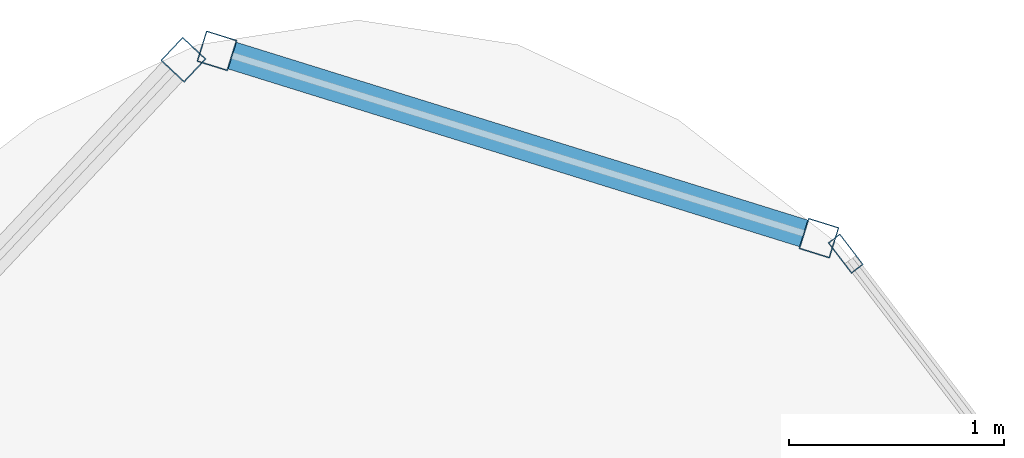
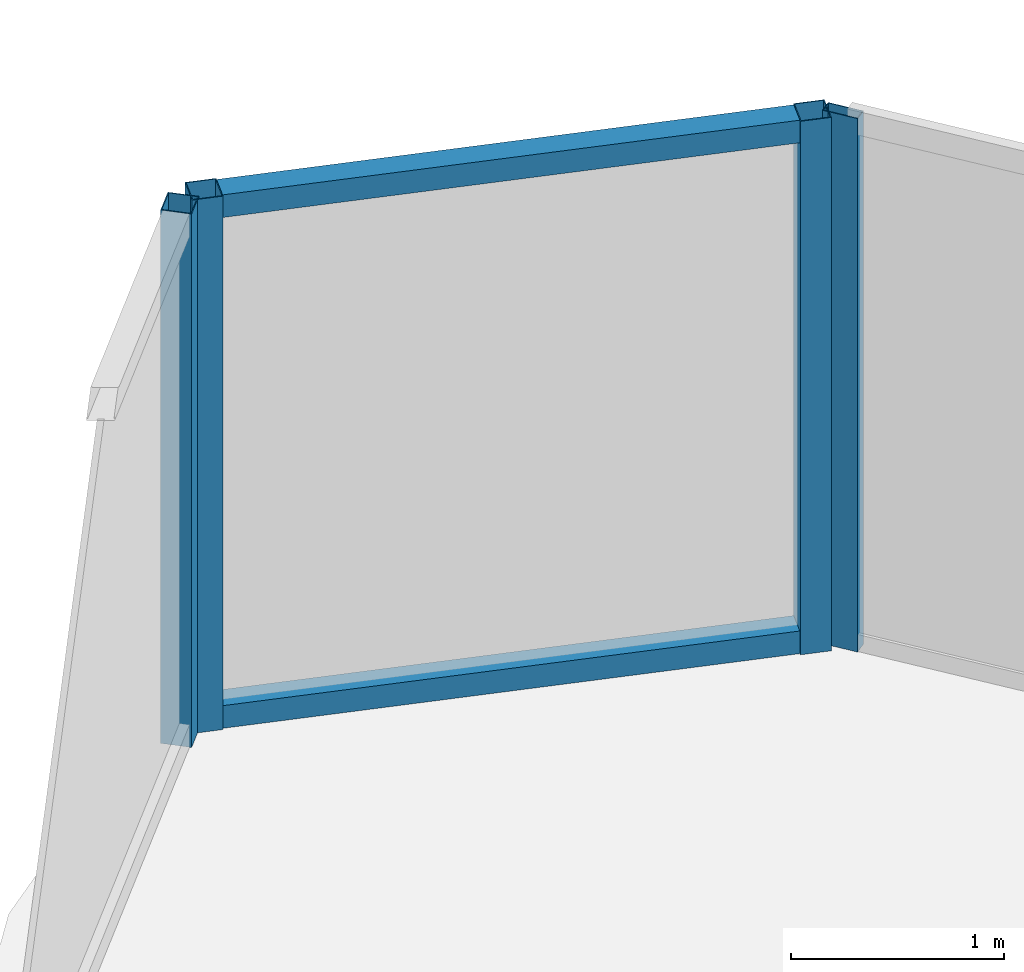
# One storey, part 24 of 33: 6 members, 3 elements without a shape of their own.
"""IFC4 building model written with IfcOpenShell, lengths in metres."""

from ifc_helpers import new_model, si_unit, direction, frame, origin, origin_2d, place, context, subcontext, project, spatial, hollow_rectangle, extrude, material, layer, layer_set, material_profile, profile_set, type_object, element, aggregate, save


model = new_model("IFC4")

# Units and contexts
model_context = context("Model", 3, precision=1e-05, world=origin(), true_north=direction((0.0, 1.0)))
body_context = subcontext(model_context, "Body", "Model", "MODEL_VIEW")
ifc_project = project(units=[si_unit("LENGTHUNIT", "METRE"), si_unit("AREAUNIT", "SQUARE_METRE"), si_unit("VOLUMEUNIT", "CUBIC_METRE"), si_unit("PLANEANGLEUNIT", "RADIAN"), si_unit("MASSUNIT", "GRAM", prefix="KILO")], contexts=[model_context])

# Site, building, storey
site_placement = place(None, origin())
site = spatial("IfcSite", under=ifc_project, at=site_placement, CompositionType="ELEMENT")
building_placement = place(site_placement, origin())
building = spatial("IfcBuilding", under=site, at=building_placement, Name="Orvanel Arch Residences", CompositionType="ELEMENT")
storey_placement = place(building_placement, frame((0.0, 0.0, 87.35009765625)))
storey = spatial("IfcBuildingStorey", under=building, at=storey_placement, Name="L24", CompositionType="ELEMENT", Elevation=87.35009765625)

# Curtain wall, members
ifc_material = material(Name="Bronze-anodised aluminium AA6063-T6", Category="aluminium")
ifc_layer_1 = layer(ifc_material, 0.18994140625)
ifc_layer_set_1 = layer_set([ifc_layer_1], Name="Bronze-anodised aluminium AA6063-T6")
curtain_wall_type_1 = type_object("IfcCurtainWallType", Name="CW5-CRN-SYS", PredefinedType="NOTDEFINED", material=ifc_layer_set_1)
curtain_wall_1_placement = place(storey_placement, origin())
curtain_wall_1 = element("IfcCurtainWall", 1, at=curtain_wall_1_placement, inside=storey, type_object=curtain_wall_type_1, Name="L24 CW5-CRN-SYS Unitised Curtain Wall", PredefinedType="NOTDEFINED")
ifc_material_profile_1 = material_profile(ifc_material, hollow_rectangle(XDim=0.14990234375, YDim=0.14990234375, WallThickness=0.0048828125, at=origin_2d()), Name="ALU150x150x5")
ifc_profile_set_1 = profile_set([ifc_material_profile_1], Name="Bronze-anodised aluminium AA6063-T6")
member_type_1 = type_object("IfcMemberType", Name="MUL-150x150", PredefinedType="MULLION", material=ifc_profile_set_1)
member_1_placement = place(storey_placement, frame((35.143310546875, 49.75927734375, 0.0), z_axis=(0.0, 0.0, 1.0), x_axis=(-0.297073130813, -0.954854729762, 0.0)))
member_1 = element("IfcMember", 2, at=member_1_placement, type_object=member_type_1, Name="CW-S5 mullion 1", PredefinedType="MULLION", context=body_context, shape_type="SweptSolid", body=[
    extrude(hollow_rectangle(XDim=0.14990234375, YDim=0.14990234375, WallThickness=0.0048828125, at=origin_2d()), origin(), (0.0, 0.0, 1.0), 3.059814453125),
])
member_2_placement = place(storey_placement, frame((32.345703125, 50.629638671875, 0.0), z_axis=(0.0, 0.0, 1.0), x_axis=(-0.297073130813, -0.954854729762, 0.0)))
member_2 = element("IfcMember", 3, at=member_2_placement, type_object=member_type_1, Name="CW-S5 mullion 2", PredefinedType="MULLION", context=body_context, shape_type="SweptSolid", body=[
    extrude(hollow_rectangle(XDim=0.14990234375, YDim=0.14990234375, WallThickness=0.0048828125, at=origin_2d()), origin(), (0.0, 0.0, 1.0), 3.059814453125),
])

# Curtain wall, member
curtain_wall_2_placement = place(storey_placement, origin())
curtain_wall_2 = element("IfcCurtainWall", 4, at=curtain_wall_2_placement, inside=storey, type_object=curtain_wall_type_1, Name="L24 CW5-CRN-SYS Unitised Curtain Wall", PredefinedType="NOTDEFINED")
member_3_placement = place(storey_placement, frame((32.189697265625, 50.58837890625, 0.0), z_axis=(0.0, 0.0, 1.0), x_axis=(0.729577329682, -0.683898325787, 0.0)))
member_3 = element("IfcMember", 5, at=member_3_placement, type_object=member_type_1, Name="CW-S5 mullion 1", PredefinedType="MULLION", context=body_context, shape_type="SweptSolid", body=[
    extrude(hollow_rectangle(XDim=0.14990234375, YDim=0.14990234375, WallThickness=0.0048828125, at=origin_2d()), origin(), (0.0, 0.0, 1.0), 3.059814453125),
])
aggregate(curtain_wall_2, [member_3])

ifc_layer_2 = layer(ifc_material, 0.179931640625)
ifc_layer_set_2 = layer_set([ifc_layer_2], Name="Bronze-anodised aluminium AA6063-T6")
curtain_wall_type_2 = type_object("IfcCurtainWallType", Name="CW2-LOW-SYS", PredefinedType="NOTDEFINED", material=ifc_layer_set_2)
curtain_wall_3_placement = place(storey_placement, origin())
curtain_wall_3 = element("IfcCurtainWall", 6, at=curtain_wall_3_placement, inside=storey, type_object=curtain_wall_type_2, Name="L24 CW2-LOW-SYS Unitised Curtain Wall", PredefinedType="NOTDEFINED")
ifc_material_profile_2 = material_profile(ifc_material, hollow_rectangle(XDim=0.070068359375, YDim=0.179931640625, WallThickness=0.00439453125, at=origin_2d()), Name="ALU180x70x4.5")
ifc_profile_set_2 = profile_set([ifc_material_profile_2], Name="Bronze-anodised aluminium AA6063-T6")
member_type_2 = type_object("IfcMemberType", Name="MUL-180x70", PredefinedType="MULLION", material=ifc_profile_set_2)
member_4_placement = place(storey_placement, frame((35.267333984375, 49.687255859375, 0.0), z_axis=(0.0, 0.0, 1.0), x_axis=(-0.794618292381, -0.607109355399, 0.0)))
member_4 = element("IfcMember", 7, at=member_4_placement, type_object=member_type_2, Name="CW-S2 mullion 4", PredefinedType="MULLION", context=body_context, shape_type="SweptSolid", body=[
    extrude(hollow_rectangle(XDim=0.070068359375, YDim=0.179931640625, WallThickness=0.00439453125, at=origin_2d()), origin(), (0.0, 0.0, 1.0), 3.059814453125),
])
aggregate(curtain_wall_3, [member_4])

# Member
ifc_material_profile_3 = material_profile(ifc_material, hollow_rectangle(XDim=0.1298828125, YDim=0.1298828125, WallThickness=0.00439453125, at=origin_2d()), Name="ALU130x130x4.5")
ifc_profile_set_3 = profile_set([ifc_material_profile_3], Name="Bronze-anodised aluminium AA6063-T6")
member_type_3 = type_object("IfcMemberType", Name="TRN-130x130", PredefinedType="USERDEFINED", material=ifc_profile_set_3)
member_5_placement = place(storey_placement, frame((35.07177734375, 49.781494140625, 0.06494140625), z_axis=(-0.954849579765, 0.297089683468, 0.0), x_axis=(-0.297089683468, -0.954849579765, 0.0)))
member_5 = element("IfcMember", 8, at=member_5_placement, type_object=member_type_3, Name="CW-S5 transom 1.1", ObjectType="TRANSOM", PredefinedType="USERDEFINED", context=body_context, shape_type="SweptSolid", body=[
    extrude(hollow_rectangle(XDim=0.1298828125, YDim=0.1298828125, WallThickness=0.00439453125, at=origin_2d()), origin(), (0.0, 0.0, 1.0), 2.780029296875),
])

member_6_placement = place(storey_placement, frame((35.07177734375, 49.781494140625, 2.994873046875), z_axis=(-0.954849579765, 0.297089683468, 0.0), x_axis=(-0.297089683468, -0.954849579765, 0.0)))
member_6 = element("IfcMember", 9, at=member_6_placement, type_object=member_type_3, Name="CW-S5 transom 1.2", ObjectType="TRANSOM", PredefinedType="USERDEFINED", context=body_context, shape_type="SweptSolid", body=[
    extrude(hollow_rectangle(XDim=0.1298828125, YDim=0.1298828125, WallThickness=0.00439453125, at=origin_2d()), origin(), (0.0, 0.0, 1.0), 2.780029296875),
])

aggregate(curtain_wall_1, [member_1, member_2, member_5, member_6])

save(model, "model.ifc")
